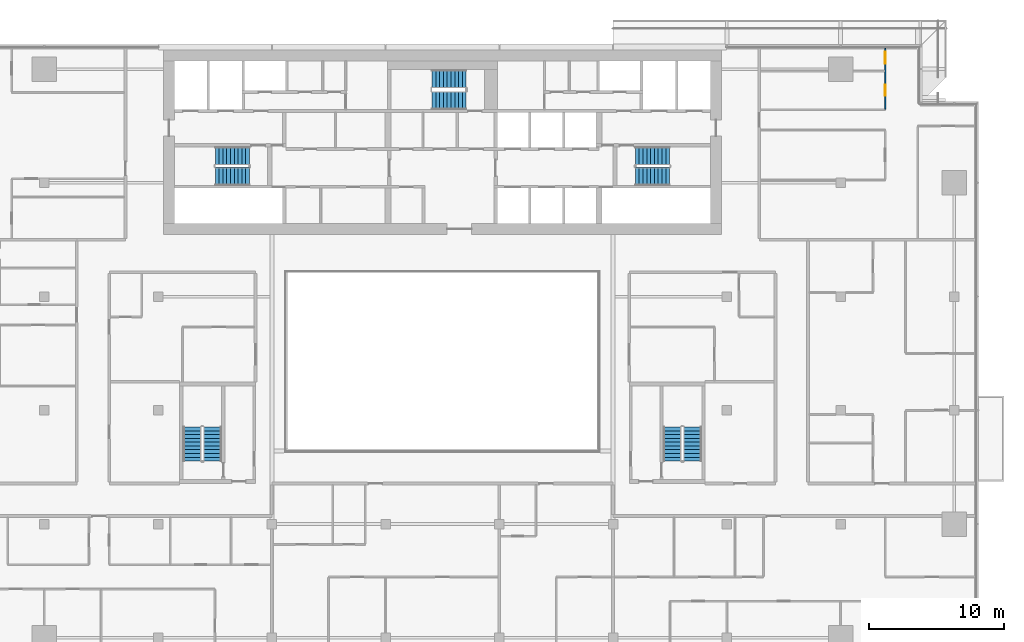
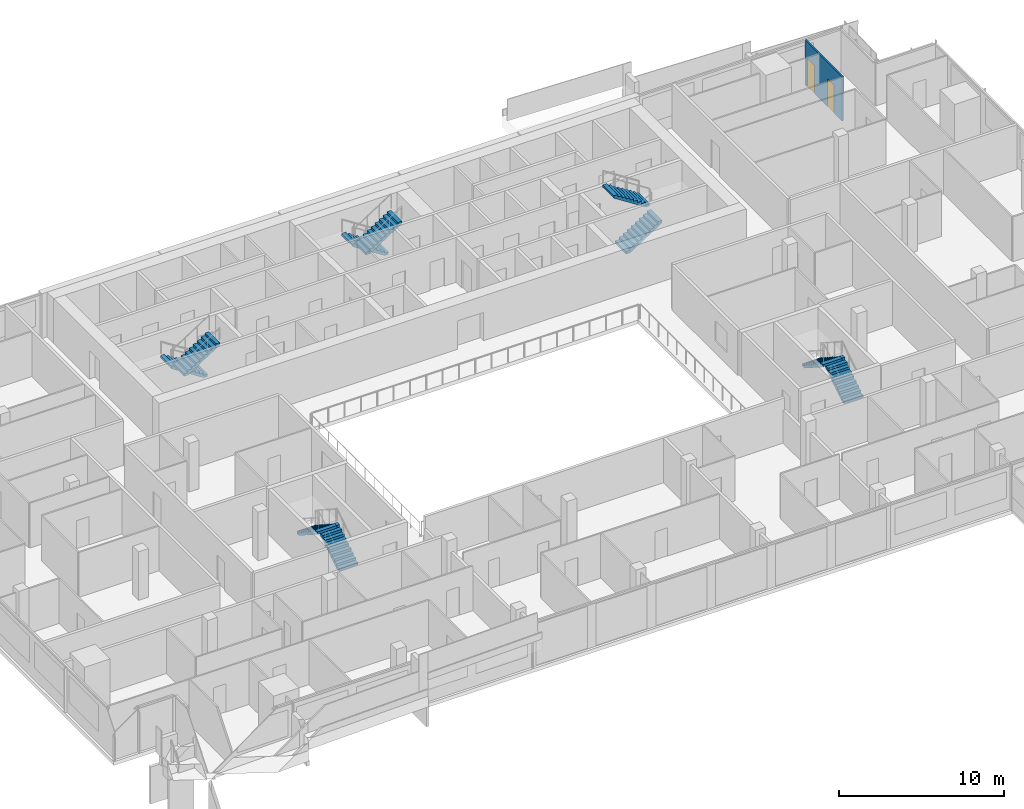
# One storey, part 24 of 30: 10 stair flights, 2 doors, 1 wall, 2 openings, 5 elements without a shape of their own.
"""IFC4 building model written with IfcOpenShell, lengths in metres."""

from ifc_helpers import new_model, si_unit, direction, frame, frame_2d, origin, place, context, subcontext, project, spatial, polyline, rectangle, outline, extrude, material, layer, layer_set, type_object, element, fill, aggregate, save


model = new_model("IFC4")

# Units and contexts
model_context = context("Model", 3, precision=1e-05, world=origin(), true_north=direction((0.0, 1.0)))
body_context = subcontext(model_context, "Body", "Model", "MODEL_VIEW")
ifc_project = project(units=[si_unit("LENGTHUNIT", "METRE"), si_unit("AREAUNIT", "SQUARE_METRE"), si_unit("VOLUMEUNIT", "CUBIC_METRE"), si_unit("PLANEANGLEUNIT", "RADIAN"), si_unit("MASSUNIT", "GRAM", prefix="KILO")], contexts=[model_context])

# Site, building, storey
site_placement = place(None, origin())
site = spatial("IfcSite", under=ifc_project, at=site_placement, CompositionType="ELEMENT")
building_placement = place(site_placement, origin())
building = spatial("IfcBuilding", under=site, at=building_placement, Name="Saffron Gate Tower", CompositionType="ELEMENT")
storey_placement = place(building_placement, frame((0.0, 0.0, 169.050048828125)))
storey = spatial("IfcBuildingStorey", under=building, at=storey_placement, Name="L41", CompositionType="ELEMENT", Elevation=169.050048828125)

# Wall, openings, doors
ifc_material_1 = material(Name="Plasterboard on steel studs", Category="steel")
ifc_layer = layer(ifc_material_1, 0.10009765625)
ifc_layer_set = layer_set([ifc_layer], Name="PW1 Partition 100")
wall_type = type_object("IfcWallType", Name="PW1 Partition 100", PredefinedType="PARTITIONING", material=ifc_layer_set)
wall_placement = place(storey_placement, frame((120.300048828125, 70.85009765625, 0.0), z_axis=(0.0, 0.0, 1.0), x_axis=(0.0, 1.0, 0.0)))
wall = element("IfcWall", 1, at=wall_placement, inside=storey, type_object=wall_type, Name="Partition C3-114", PredefinedType="PARTITIONING", context=body_context, shape_type="SweptSolid", body=[
    extrude(rectangle(XDim=4.469970703125, YDim=0.10009765625, at=frame_2d((2.23486328125, 0.0))), origin(), (0.0, 0.0, 1.0), 3.320068359375),
])
opening_1_placement = place(wall_placement, frame((0.974609375, 0.0, 0.0)))
opening_1 = element("IfcOpeningElement", 2, at=opening_1_placement, cuts=wall, Name="Opening C3-52", PredefinedType="OPENING", context=body_context, shape_type="SweptSolid", body=[
    extrude(rectangle(XDim=0.800048828125, YDim=2.10009765625, at=frame_2d((0.39990234375, 1.050048828125))), frame((0.0, 0.06005859375, 0.0), z_axis=(0.0, -1.0, 0.0), x_axis=(1.0, 0.0, 0.0)), (0.0, 0.0, 1.0), 0.1201171875),
])
opening_2_placement = place(wall_placement, frame((3.32470703125, 0.0, 0.0)))
opening_2 = element("IfcOpeningElement", 3, at=opening_2_placement, cuts=wall, Name="Opening C3-37", PredefinedType="OPENING", context=body_context, shape_type="SweptSolid", body=[
    extrude(rectangle(XDim=0.89990234375, YDim=2.10009765625, at=frame_2d((0.449951171875, 1.050048828125))), frame((0.0, 0.06005859375, 0.0), z_axis=(0.0, -1.0, 0.0), x_axis=(1.0, 0.0, 0.0)), (0.0, 0.0, 1.0), 0.1201171875),
])
ifc_material_2 = material(Name="Timber door set", Category="wood")
door_type_1 = type_object("IfcDoorType", Name="RD1 Room door 900x2100", OperationType="NOTDEFINED", PredefinedType="DOOR", material=ifc_material_2)
door_1_placement = place(opening_2_placement, origin())
door_1 = element("IfcDoor", 4, at=door_1_placement, inside=storey, type_object=door_type_1, Name="Door C3-37", OperationType="SINGLE_SWING_RIGHT", OverallHeight=2.10009765625, OverallWidth=0.89990234375, PredefinedType="DOOR", context=body_context, shape_type="SweptSolid", body=[
    extrude(rectangle(XDim=0.89990234375, YDim=2.10009765625, at=frame_2d((0.449951171875, 1.050048828125))), frame((0.0, 0.02490234375, 0.0), z_axis=(0.0, -1.0, 0.0), x_axis=(1.0, 0.0, 0.0)), (0.0, 0.0, 1.0), 0.050048828125),
])
fill(opening_2, door_1)
door_type_2 = type_object("IfcDoorType", Name="RD2 Bathroom door 800x2100", OperationType="NOTDEFINED", PredefinedType="DOOR", material=ifc_material_2)
door_2_placement = place(opening_1_placement, origin())
door_2 = element("IfcDoor", 5, at=door_2_placement, inside=storey, type_object=door_type_2, Name="Door C3-52", OperationType="SINGLE_SWING_LEFT", OverallHeight=2.10009765625, OverallWidth=0.800048828125, PredefinedType="DOOR", context=body_context, shape_type="SweptSolid", body=[
    extrude(rectangle(XDim=0.800048828125, YDim=2.10009765625, at=frame_2d((0.39990234375, 1.050048828125))), frame((0.0, 0.02490234375, 0.0), z_axis=(0.0, -1.0, 0.0), x_axis=(1.0, 0.0, 0.0)), (0.0, 0.0, 1.0), 0.050048828125),
])
fill(opening_1, door_2)

# Stair, stair flights
ifc_material_3 = material(Name="Concrete C40", Category="concrete")
stair_type = type_object("IfcStairType", Name="ST7 Stair 1350 wide, 20 risers of 180", PredefinedType="HALF_TURN_STAIR", material=ifc_material_3)
stair_1_placement = place(storey_placement, origin())
stair_1 = element("IfcStair", 6, at=stair_1_placement, inside=storey, type_object=stair_type, Name="L41 Exit stair A", PredefinedType="HALF_TURN_STAIR")
stair_flight_type = type_object("IfcStairFlightType", Name="SF3 Stair flight 1350 wide, riser 180 going 280", PredefinedType="STRAIGHT", material=ifc_material_3)
stair_flight_1_placement = place(storey_placement, frame((73.35009765625, 67.375, 0.0), z_axis=(0.0, 0.0, 1.0), x_axis=(-1.0, 0.0, 0.0)))
stair_flight_1 = element("IfcStairFlight", 7, at=stair_flight_1_placement, type_object=stair_flight_type, Name="ST-A flight 1", NumberOfRisers=10, NumberOfTreads=9, PredefinedType="STRAIGHT", RiserHeight=0.18, TreadLength=0.28, context=body_context, shape_type="SweptSolid", body=[
    extrude(outline(polyline([(0.0, 0.0), (0.0, 0.179931640625), (0.280029296875, 0.179931640625), (0.280029296875, 0.360107421875), (0.56005859375, 0.360107421875), (0.56005859375, 0.5400390625), (0.840087890625, 0.5400390625), (0.840087890625, 0.719970703125), (1.1201171875, 0.719970703125), (1.1201171875, 0.89990234375), (1.39990234375, 0.89990234375), (1.39990234375, 1.080078125), (1.679931640625, 1.080078125), (1.679931640625, 1.260009765625), (1.9599609375, 1.260009765625), (1.9599609375, 1.43994140625), (2.239990234375, 1.43994140625), (2.239990234375, 1.6201171875), (2.52001953125, 1.6201171875), (2.52001953125, 1.800048828125), (2.52001953125, 1.44189453125), (0.277099609375, 0.0), (0.0, 0.0)])), frame((0.0, 0.675048828125, 0.0), z_axis=(0.0, -1.0, 0.0), x_axis=(1.0, 0.0, 0.0)), (0.0, 0.0, 1.0), 1.35009765625),
])
stair_flight_2_placement = place(storey_placement, frame((70.830078125, 65.875, 1.800048828125), z_axis=(0.0, 0.0, 1.0), x_axis=(1.0, 0.0, 0.0)))
stair_flight_2 = element("IfcStairFlight", 8, at=stair_flight_2_placement, type_object=stair_flight_type, Name="ST-A flight 2", NumberOfRisers=10, NumberOfTreads=9, PredefinedType="STRAIGHT", RiserHeight=0.18, TreadLength=0.28, context=body_context, shape_type="SweptSolid", body=[
    extrude(outline(polyline([(0.0, 0.0), (0.0, 0.179931640625), (0.280029296875, 0.179931640625), (0.280029296875, 0.360107421875), (0.56005859375, 0.360107421875), (0.56005859375, 0.5400390625), (0.840087890625, 0.5400390625), (0.840087890625, 0.719970703125), (1.1201171875, 0.719970703125), (1.1201171875, 0.89990234375), (1.39990234375, 0.89990234375), (1.39990234375, 1.080078125), (1.679931640625, 1.080078125), (1.679931640625, 1.260009765625), (1.9599609375, 1.260009765625), (1.9599609375, 1.43994140625), (2.239990234375, 1.43994140625), (2.239990234375, 1.6201171875), (2.52001953125, 1.6201171875), (2.52001953125, 1.800048828125), (2.52001953125, 1.44189453125), (0.277099609375, 0.0), (0.0, 0.0)])), frame((0.0, 0.675048828125, 0.0), z_axis=(0.0, -1.0, 0.0), x_axis=(1.0, 0.0, 0.0)), (0.0, 0.0, 1.0), 1.35009765625),
])
aggregate(stair_1, [stair_flight_1, stair_flight_2])

stair_2_placement = place(storey_placement, origin())
stair_2 = element("IfcStair", 9, at=stair_2_placement, inside=storey, type_object=stair_type, Name="L41 Exit stair B", PredefinedType="HALF_TURN_STAIR")
stair_flight_3_placement = place(storey_placement, frame((101.85009765625, 65.875, 0.0), z_axis=(0.0, 0.0, 1.0), x_axis=(1.0, 0.0, 0.0)))
stair_flight_3 = element("IfcStairFlight", 10, at=stair_flight_3_placement, type_object=stair_flight_type, Name="ST-B flight 1", NumberOfRisers=10, NumberOfTreads=9, PredefinedType="STRAIGHT", RiserHeight=0.18, TreadLength=0.28, context=body_context, shape_type="SweptSolid", body=[
    extrude(outline(polyline([(0.0, 0.0), (0.0, 0.179931640625), (0.280029296875, 0.179931640625), (0.280029296875, 0.360107421875), (0.56005859375, 0.360107421875), (0.56005859375, 0.5400390625), (0.840087890625, 0.5400390625), (0.840087890625, 0.719970703125), (1.1201171875, 0.719970703125), (1.1201171875, 0.89990234375), (1.39990234375, 0.89990234375), (1.39990234375, 1.080078125), (1.679931640625, 1.080078125), (1.679931640625, 1.260009765625), (1.9599609375, 1.260009765625), (1.9599609375, 1.43994140625), (2.239990234375, 1.43994140625), (2.239990234375, 1.6201171875), (2.52001953125, 1.6201171875), (2.52001953125, 1.800048828125), (2.52001953125, 1.44189453125), (0.277099609375, 0.0), (0.0, 0.0)])), frame((0.0, 0.675048828125, 0.0), z_axis=(0.0, -1.0, 0.0), x_axis=(1.0, 0.0, 0.0)), (0.0, 0.0, 1.0), 1.35009765625),
])
stair_flight_4_placement = place(storey_placement, frame((104.3701171875, 67.375, 1.800048828125), z_axis=(0.0, 0.0, 1.0), x_axis=(-1.0, 0.0, 0.0)))
stair_flight_4 = element("IfcStairFlight", 11, at=stair_flight_4_placement, type_object=stair_flight_type, Name="ST-B flight 2", NumberOfRisers=10, NumberOfTreads=9, PredefinedType="STRAIGHT", RiserHeight=0.18, TreadLength=0.28, context=body_context, shape_type="SweptSolid", body=[
    extrude(outline(polyline([(0.0, 0.0), (0.0, 0.179931640625), (0.280029296875, 0.179931640625), (0.280029296875, 0.360107421875), (0.56005859375, 0.360107421875), (0.56005859375, 0.5400390625), (0.840087890625, 0.5400390625), (0.840087890625, 0.719970703125), (1.1201171875, 0.719970703125), (1.1201171875, 0.89990234375), (1.39990234375, 0.89990234375), (1.39990234375, 1.080078125), (1.679931640625, 1.080078125), (1.679931640625, 1.260009765625), (1.9599609375, 1.260009765625), (1.9599609375, 1.43994140625), (2.239990234375, 1.43994140625), (2.239990234375, 1.6201171875), (2.52001953125, 1.6201171875), (2.52001953125, 1.800048828125), (2.52001953125, 1.44189453125), (0.277099609375, 0.0), (0.0, 0.0)])), frame((0.0, 0.675048828125, 0.0), z_axis=(0.0, -1.0, 0.0), x_axis=(1.0, 0.0, 0.0)), (0.0, 0.0, 1.0), 1.35009765625),
])
aggregate(stair_2, [stair_flight_3, stair_flight_4])

stair_3_placement = place(storey_placement, origin())
stair_3 = element("IfcStair", 12, at=stair_3_placement, inside=storey, type_object=stair_type, Name="L41 Exit stair C", PredefinedType="HALF_TURN_STAIR")
stair_flight_5_placement = place(storey_placement, frame((89.35009765625, 73.074951171875, 0.0), z_axis=(0.0, 0.0, 1.0), x_axis=(-1.0, 0.0, 0.0)))
stair_flight_5 = element("IfcStairFlight", 13, at=stair_flight_5_placement, type_object=stair_flight_type, Name="ST-C flight 1", NumberOfRisers=10, NumberOfTreads=9, PredefinedType="STRAIGHT", RiserHeight=0.18, TreadLength=0.28, context=body_context, shape_type="SweptSolid", body=[
    extrude(outline(polyline([(0.0, 0.0), (0.0, 0.179931640625), (0.280029296875, 0.179931640625), (0.280029296875, 0.360107421875), (0.56005859375, 0.360107421875), (0.56005859375, 0.5400390625), (0.840087890625, 0.5400390625), (0.840087890625, 0.719970703125), (1.1201171875, 0.719970703125), (1.1201171875, 0.89990234375), (1.39990234375, 0.89990234375), (1.39990234375, 1.080078125), (1.679931640625, 1.080078125), (1.679931640625, 1.260009765625), (1.9599609375, 1.260009765625), (1.9599609375, 1.43994140625), (2.239990234375, 1.43994140625), (2.239990234375, 1.6201171875), (2.52001953125, 1.6201171875), (2.52001953125, 1.800048828125), (2.52001953125, 1.44189453125), (0.277099609375, 0.0), (0.0, 0.0)])), frame((0.0, 0.675048828125, 0.0), z_axis=(0.0, -1.0, 0.0), x_axis=(1.0, 0.0, 0.0)), (0.0, 0.0, 1.0), 1.35009765625),
])
stair_flight_6_placement = place(storey_placement, frame((86.830078125, 71.47509765625, 1.800048828125), z_axis=(0.0, 0.0, 1.0), x_axis=(1.0, 0.0, 0.0)))
stair_flight_6 = element("IfcStairFlight", 14, at=stair_flight_6_placement, type_object=stair_flight_type, Name="ST-C flight 2", NumberOfRisers=10, NumberOfTreads=9, PredefinedType="STRAIGHT", RiserHeight=0.18, TreadLength=0.28, context=body_context, shape_type="SweptSolid", body=[
    extrude(outline(polyline([(0.0, 0.0), (0.0, 0.179931640625), (0.280029296875, 0.179931640625), (0.280029296875, 0.360107421875), (0.56005859375, 0.360107421875), (0.56005859375, 0.5400390625), (0.840087890625, 0.5400390625), (0.840087890625, 0.719970703125), (1.1201171875, 0.719970703125), (1.1201171875, 0.89990234375), (1.39990234375, 0.89990234375), (1.39990234375, 1.080078125), (1.679931640625, 1.080078125), (1.679931640625, 1.260009765625), (1.9599609375, 1.260009765625), (1.9599609375, 1.43994140625), (2.239990234375, 1.43994140625), (2.239990234375, 1.6201171875), (2.52001953125, 1.6201171875), (2.52001953125, 1.800048828125), (2.52001953125, 1.44189453125), (0.277099609375, 0.0), (0.0, 0.0)])), frame((0.0, 0.675048828125, 0.0), z_axis=(0.0, -1.0, 0.0), x_axis=(1.0, 0.0, 0.0)), (0.0, 0.0, 1.0), 1.35009765625),
])
aggregate(stair_3, [stair_flight_5, stair_flight_6])

stair_4_placement = place(storey_placement, origin())
stair_4 = element("IfcStair", 15, at=stair_4_placement, inside=storey, type_object=stair_type, Name="L41 Exit stair D", PredefinedType="HALF_TURN_STAIR")
stair_flight_7_placement = place(storey_placement, frame((70.625, 44.85009765625, 0.0), z_axis=(0.0, 0.0, 1.0), x_axis=(0.0, 1.0, 0.0)))
stair_flight_7 = element("IfcStairFlight", 16, at=stair_flight_7_placement, type_object=stair_flight_type, Name="ST-D flight 1", NumberOfRisers=10, NumberOfTreads=9, PredefinedType="STRAIGHT", RiserHeight=0.18, TreadLength=0.28, context=body_context, shape_type="SweptSolid", body=[
    extrude(outline(polyline([(0.0, 0.0), (0.0, 0.179931640625), (0.280029296875, 0.179931640625), (0.280029296875, 0.360107421875), (0.56005859375, 0.360107421875), (0.56005859375, 0.5400390625), (0.840087890625, 0.5400390625), (0.840087890625, 0.719970703125), (1.1201171875, 0.719970703125), (1.1201171875, 0.89990234375), (1.39990234375, 0.89990234375), (1.39990234375, 1.080078125), (1.679931640625, 1.080078125), (1.679931640625, 1.260009765625), (1.9599609375, 1.260009765625), (1.9599609375, 1.43994140625), (2.239990234375, 1.43994140625), (2.239990234375, 1.6201171875), (2.52001953125, 1.6201171875), (2.52001953125, 1.800048828125), (2.52001953125, 1.44189453125), (0.277099609375, 0.0), (0.0, 0.0)])), frame((0.0, 0.675048828125, 0.0), z_axis=(0.0, -1.0, 0.0), x_axis=(1.0, 0.0, 0.0)), (0.0, 0.0, 1.0), 1.35009765625),
])
stair_flight_8_placement = place(storey_placement, frame((69.125, 47.3701171875, 1.800048828125), z_axis=(0.0, 0.0, 1.0), x_axis=(0.0, -1.0, 0.0)))
stair_flight_8 = element("IfcStairFlight", 17, at=stair_flight_8_placement, type_object=stair_flight_type, Name="ST-D flight 2", NumberOfRisers=10, NumberOfTreads=9, PredefinedType="STRAIGHT", RiserHeight=0.18, TreadLength=0.28, context=body_context, shape_type="SweptSolid", body=[
    extrude(outline(polyline([(0.0, 0.0), (0.0, 0.179931640625), (0.280029296875, 0.179931640625), (0.280029296875, 0.360107421875), (0.56005859375, 0.360107421875), (0.56005859375, 0.5400390625), (0.840087890625, 0.5400390625), (0.840087890625, 0.719970703125), (1.1201171875, 0.719970703125), (1.1201171875, 0.89990234375), (1.39990234375, 0.89990234375), (1.39990234375, 1.080078125), (1.679931640625, 1.080078125), (1.679931640625, 1.260009765625), (1.9599609375, 1.260009765625), (1.9599609375, 1.43994140625), (2.239990234375, 1.43994140625), (2.239990234375, 1.6201171875), (2.52001953125, 1.6201171875), (2.52001953125, 1.800048828125), (2.52001953125, 1.44189453125), (0.277099609375, 0.0), (0.0, 0.0)])), frame((0.0, 0.675048828125, 0.0), z_axis=(0.0, -1.0, 0.0), x_axis=(1.0, 0.0, 0.0)), (0.0, 0.0, 1.0), 1.35009765625),
])
aggregate(stair_4, [stair_flight_7, stair_flight_8])

stair_5_placement = place(storey_placement, origin())
stair_5 = element("IfcStair", 18, at=stair_5_placement, inside=storey, type_object=stair_type, Name="L41 Exit stair E", PredefinedType="HALF_TURN_STAIR")
stair_flight_9_placement = place(storey_placement, frame((106.074951171875, 44.85009765625, 0.0), z_axis=(0.0, 0.0, 1.0), x_axis=(0.0, 1.0, 0.0)))
stair_flight_9 = element("IfcStairFlight", 19, at=stair_flight_9_placement, type_object=stair_flight_type, Name="ST-E flight 1", NumberOfRisers=10, NumberOfTreads=9, PredefinedType="STRAIGHT", RiserHeight=0.18, TreadLength=0.28, context=body_context, shape_type="SweptSolid", body=[
    extrude(outline(polyline([(0.0, 0.0), (0.0, 0.179931640625), (0.280029296875, 0.179931640625), (0.280029296875, 0.360107421875), (0.56005859375, 0.360107421875), (0.56005859375, 0.5400390625), (0.840087890625, 0.5400390625), (0.840087890625, 0.719970703125), (1.1201171875, 0.719970703125), (1.1201171875, 0.89990234375), (1.39990234375, 0.89990234375), (1.39990234375, 1.080078125), (1.679931640625, 1.080078125), (1.679931640625, 1.260009765625), (1.9599609375, 1.260009765625), (1.9599609375, 1.43994140625), (2.239990234375, 1.43994140625), (2.239990234375, 1.6201171875), (2.52001953125, 1.6201171875), (2.52001953125, 1.800048828125), (2.52001953125, 1.44189453125), (0.277099609375, 0.0), (0.0, 0.0)])), frame((0.0, 0.675048828125, 0.0), z_axis=(0.0, -1.0, 0.0), x_axis=(1.0, 0.0, 0.0)), (0.0, 0.0, 1.0), 1.35009765625),
])
stair_flight_10_placement = place(storey_placement, frame((104.574951171875, 47.3701171875, 1.800048828125), z_axis=(0.0, 0.0, 1.0), x_axis=(0.0, -1.0, 0.0)))
stair_flight_10 = element("IfcStairFlight", 20, at=stair_flight_10_placement, type_object=stair_flight_type, Name="ST-E flight 2", NumberOfRisers=10, NumberOfTreads=9, PredefinedType="STRAIGHT", RiserHeight=0.18, TreadLength=0.28, context=body_context, shape_type="SweptSolid", body=[
    extrude(outline(polyline([(0.0, 0.0), (0.0, 0.179931640625), (0.280029296875, 0.179931640625), (0.280029296875, 0.360107421875), (0.56005859375, 0.360107421875), (0.56005859375, 0.5400390625), (0.840087890625, 0.5400390625), (0.840087890625, 0.719970703125), (1.1201171875, 0.719970703125), (1.1201171875, 0.89990234375), (1.39990234375, 0.89990234375), (1.39990234375, 1.080078125), (1.679931640625, 1.080078125), (1.679931640625, 1.260009765625), (1.9599609375, 1.260009765625), (1.9599609375, 1.43994140625), (2.239990234375, 1.43994140625), (2.239990234375, 1.6201171875), (2.52001953125, 1.6201171875), (2.52001953125, 1.800048828125), (2.52001953125, 1.44189453125), (0.277099609375, 0.0), (0.0, 0.0)])), frame((0.0, 0.675048828125, 0.0), z_axis=(0.0, -1.0, 0.0), x_axis=(1.0, 0.0, 0.0)), (0.0, 0.0, 1.0), 1.35009765625),
])
aggregate(stair_5, [stair_flight_9, stair_flight_10])

save(model, "model.ifc")
